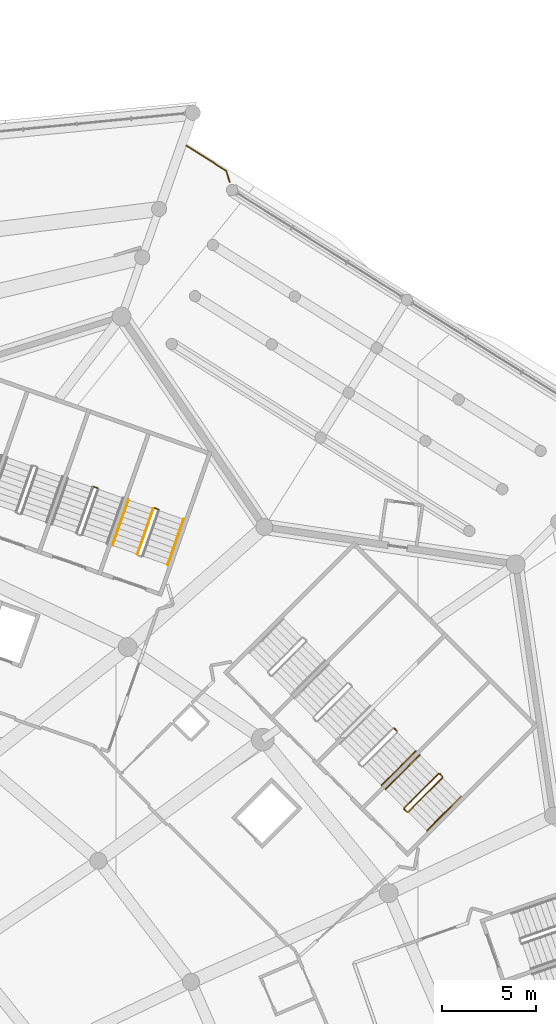
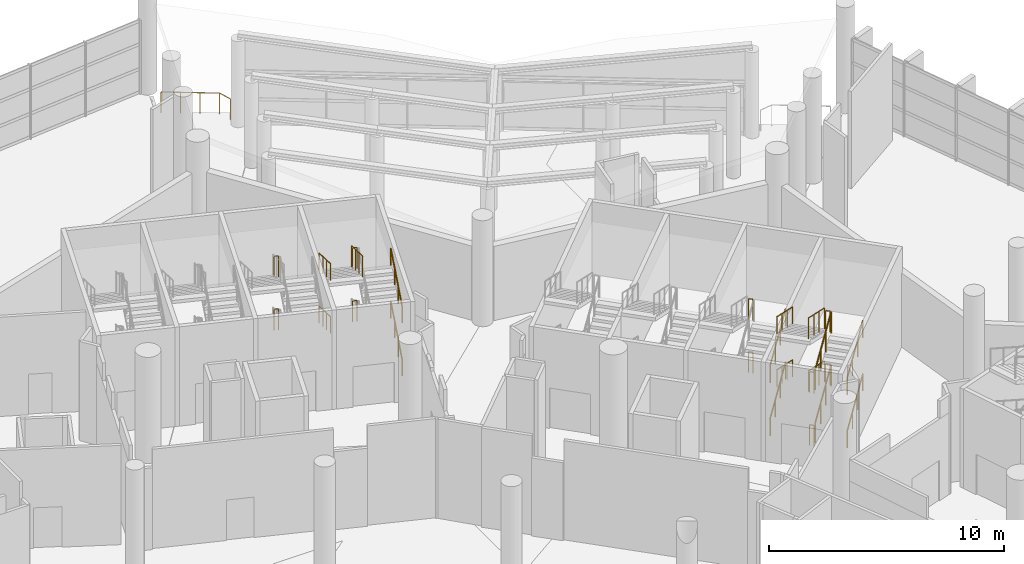
# One storey, part 270 of 271: 26 railings.
"""IFC4 building model written with IfcOpenShell, lengths in metres."""

from ifc_helpers import new_model, si_unit, direction, frame, origin, origin_2d, place, context, subcontext, project, spatial, circle, extrude, material, type_object, element, save


model = new_model("IFC4")

# Units and contexts
model_context = context("Model", 3, precision=1e-05, world=origin(), true_north=direction((0.0, 1.0)))
body_context = subcontext(model_context, "Body", "Model", "MODEL_VIEW")
ifc_project = project(units=[si_unit("LENGTHUNIT", "METRE"), si_unit("AREAUNIT", "SQUARE_METRE"), si_unit("VOLUMEUNIT", "CUBIC_METRE"), si_unit("PLANEANGLEUNIT", "RADIAN"), si_unit("MASSUNIT", "GRAM", prefix="KILO")], contexts=[model_context])

# Site, building, storey
site_placement = place(None, origin())
site = spatial("IfcSite", under=ifc_project, at=site_placement, CompositionType="ELEMENT")
building_placement = place(site_placement, origin())
building = spatial("IfcBuilding", under=site, at=building_placement, Name="Meseta Stadium", CompositionType="ELEMENT")
storey_placement = place(building_placement, frame((0.0, 0.0, 6.5)))
storey = spatial("IfcBuildingStorey", under=building, at=storey_placement, Name="L01", CompositionType="ELEMENT", Elevation=6.5)

# Railings
ifc_material_1 = material(Name="Steel S355", Category="steel")
railing_type_1 = type_object("IfcRailingType", Name="Plate edge guard 1100", PredefinedType="GUARDRAIL", material=ifc_material_1)
railing_1_placement = place(storey_placement, frame((67.729248046875, 111.341552734375, 0.0)))
element("IfcRailing", 1, at=railing_1_placement, inside=storey, type_object=railing_type_1, Name="Gate hall edge guard 13", PredefinedType="GUARDRAIL", context=body_context, shape_type="SweptSolid", body=[
    extrude(circle(Radius=0.02490234375, at=origin_2d()), frame((0.0, 0.0, 1.0751953125), z_axis=(0.846753668308, -0.531985173861, 0.0), x_axis=(0.531985173861, 0.846753668308, 0.0)), (0.0, 0.0, 1.0), 2.4951171875),
    extrude(circle(Radius=0.02490234375, at=origin_2d()), frame((2.11279296875, -1.327392578125, 1.0751953125), z_axis=(0.292228554876, -0.956348509548, 0.0), x_axis=(0.956348509548, 0.292228554876, 0.0)), (0.0, 0.0, 1.0), 0.619140625),
    extrude(circle(Radius=0.02001953125, at=origin_2d()), origin(), (0.0, 0.0, 1.0), 1.050048828125),
    extrude(circle(Radius=0.02001953125, at=origin_2d()), frame((0.704345703125, -0.4423828125, 0.0)), (0.0, 0.0, 1.0), 1.050048828125),
    extrude(circle(Radius=0.02001953125, at=origin_2d()), frame((1.408447265625, -0.885009765625, 0.0)), (0.0, 0.0, 1.0), 1.050048828125),
    extrude(circle(Radius=0.02001953125, at=origin_2d()), frame((2.11279296875, -1.327392578125, 0.0)), (0.0, 0.0, 1.0), 1.050048828125),
    extrude(circle(Radius=0.02001953125, at=origin_2d()), frame((2.293701171875, -1.91943359375, 0.0)), (0.0, 0.0, 1.0), 1.050048828125),
])
ifc_material_2 = material(Name="Steel S355", Category="steel")
railing_type_2 = type_object("IfcRailingType", Name="Stair guard 1100", PredefinedType="GUARDRAIL", material=ifc_material_2)
railing_2_placement = place(storey_placement, frame((79.4814453125, 76.056884765625, 0.15283203125)))
element("IfcRailing", 2, at=railing_2_placement, inside=storey, type_object=railing_type_2, Name="ST25 L01 guard 1", PredefinedType="GUARDRAIL", context=body_context, shape_type="SweptSolid", body=[
    extrude(circle(Radius=0.02392578125, at=origin_2d()), frame((0.0, 0.0, 1.076171875), z_axis=(0.638123721051, 0.638123721051, 0.43080881289), x_axis=(-0.707106781187, 0.707106781187, 0.0)), (0.0, 0.0, 1.0), 2.8369140625),
    extrude(circle(Radius=0.02099609375, at=origin_2d()), origin(), (0.0, 0.0, 1.0), 1.052001953125),
    extrude(circle(Radius=0.02099609375, at=origin_2d()), frame((0.603515625, 0.603515625, 0.407470703125)), (0.0, 0.0, 1.0), 1.052001953125),
    extrude(circle(Radius=0.02099609375, at=origin_2d()), frame((1.206787109375, 1.206787109375, 0.814697265625)), (0.0, 0.0, 1.0), 1.052001953125),
    extrude(circle(Radius=0.02099609375, at=origin_2d()), frame((1.810302734375, 1.810302734375, 1.22216796875)), (0.0, 0.0, 1.0), 1.052001953125),
])
railing_3_placement = place(storey_placement, frame((81.291748046875, 77.937744140625, 1.375)))
element("IfcRailing", 3, at=railing_3_placement, inside=storey, type_object=railing_type_2, Name="ST25 L01 guard 2", PredefinedType="GUARDRAIL", context=body_context, shape_type="SweptSolid", body=[
    extrude(circle(Radius=0.02392578125, at=origin_2d()), frame((0.0, 0.0, 1.076171875), z_axis=(-0.707106781187, 0.707106781187, 0.0), x_axis=(-0.707106781187, -0.707106781187, 0.0)), (0.0, 0.0, 1.0), 0.199951171875),
    extrude(circle(Radius=0.02099609375, at=origin_2d()), origin(), (0.0, 0.0, 1.0), 1.052001953125),
    extrude(circle(Radius=0.02099609375, at=origin_2d()), frame((-0.141357421875, 0.141357421875, 0.0)), (0.0, 0.0, 1.0), 1.052001953125),
])
railing_4_placement = place(storey_placement, frame((81.07958984375, 78.0791015625, 1.52783203125)))
element("IfcRailing", 4, at=railing_4_placement, inside=storey, type_object=railing_type_2, Name="ST25 L01 guard 3", PredefinedType="GUARDRAIL", context=body_context, shape_type="SweptSolid", body=[
    extrude(circle(Radius=0.02392578125, at=origin_2d()), frame((0.0, 0.0, 1.076171875), z_axis=(-0.638158764755, -0.638072701536, 0.430832471526), x_axis=(0.707059095529, -0.707154463629, 0.0)), (0.0, 0.0, 1.0), 2.836669921875),
    extrude(circle(Radius=0.02099609375, at=origin_2d()), origin(), (0.0, 0.0, 1.0), 1.052001953125),
    extrude(circle(Radius=0.02099609375, at=origin_2d()), frame((-0.603515625, -0.603271484375, 0.407470703125)), (0.0, 0.0, 1.0), 1.052001953125),
    extrude(circle(Radius=0.02099609375, at=origin_2d()), frame((-1.206787109375, -1.206787109375, 0.814697265625)), (0.0, 0.0, 1.0), 1.052001953125),
    extrude(circle(Radius=0.02099609375, at=origin_2d()), frame((-1.810302734375, -1.81005859375, 1.22216796875)), (0.0, 0.0, 1.0), 1.052001953125),
])
railing_5_placement = place(storey_placement, frame((79.410888671875, 76.056884765625, 2.75)))
element("IfcRailing", 5, at=railing_5_placement, inside=storey, type_object=railing_type_2, Name="ST25 L01 guard 4", PredefinedType="GUARDRAIL", context=body_context, shape_type="SweptSolid", body=[
    extrude(circle(Radius=0.02392578125, at=origin_2d()), frame((0.0, 0.0, 1.076171875), z_axis=(-0.707716618519, 0.706496417452, 0.0), x_axis=(-0.706496417452, -0.707716618519, 0.0)), (0.0, 0.0, 1.0), 0.2001953125),
    extrude(circle(Radius=0.02099609375, at=origin_2d()), origin(), (0.0, 0.0, 1.0), 1.052001953125),
    extrude(circle(Radius=0.02099609375, at=origin_2d()), frame((-0.1416015625, 0.141357421875, 0.0)), (0.0, 0.0, 1.0), 1.052001953125),
])
railing_6_placement = place(storey_placement, frame((79.4814453125, 76.056884765625, 2.90283203125)))
element("IfcRailing", 6, at=railing_6_placement, inside=storey, type_object=railing_type_2, Name="ST25 L01 guard 5", PredefinedType="GUARDRAIL", context=body_context, shape_type="SweptSolid", body=[
    extrude(circle(Radius=0.02392578125, at=origin_2d()), frame((0.0, 0.0, 1.076171875), z_axis=(0.638123721051, 0.638123721051, 0.43080881289), x_axis=(-0.707106781187, 0.707106781187, 0.0)), (0.0, 0.0, 1.0), 2.8369140625),
    extrude(circle(Radius=0.02099609375, at=origin_2d()), origin(), (0.0, 0.0, 1.0), 1.052001953125),
    extrude(circle(Radius=0.02099609375, at=origin_2d()), frame((0.603515625, 0.603515625, 0.407470703125)), (0.0, 0.0, 1.0), 1.052001953125),
    extrude(circle(Radius=0.02099609375, at=origin_2d()), frame((1.206787109375, 1.206787109375, 0.814697265625)), (0.0, 0.0, 1.0), 1.052001953125),
    extrude(circle(Radius=0.02099609375, at=origin_2d()), frame((1.810302734375, 1.810302734375, 1.22216796875)), (0.0, 0.0, 1.0), 1.052001953125),
])
railing_7_placement = place(storey_placement, frame((81.291748046875, 77.937744140625, 4.125)))
element("IfcRailing", 7, at=railing_7_placement, inside=storey, type_object=railing_type_2, Name="ST25 L01 guard 6", PredefinedType="GUARDRAIL", context=body_context, shape_type="SweptSolid", body=[
    extrude(circle(Radius=0.02392578125, at=origin_2d()), frame((0.0, 0.0, 1.076171875), z_axis=(-0.707106781187, 0.707106781187, 0.0), x_axis=(-0.707106781187, -0.707106781187, 0.0)), (0.0, 0.0, 1.0), 0.199951171875),
    extrude(circle(Radius=0.02099609375, at=origin_2d()), origin(), (0.0, 0.0, 1.0), 1.052001953125),
    extrude(circle(Radius=0.02099609375, at=origin_2d()), frame((-0.141357421875, 0.141357421875, 0.0)), (0.0, 0.0, 1.0), 1.052001953125),
])
railing_8_placement = place(storey_placement, frame((81.07958984375, 78.0791015625, 4.27783203125)))
element("IfcRailing", 8, at=railing_8_placement, inside=storey, type_object=railing_type_2, Name="ST25 L01 guard 7", PredefinedType="GUARDRAIL", context=body_context, shape_type="SweptSolid", body=[
    extrude(circle(Radius=0.02392578125, at=origin_2d()), frame((0.0, 0.0, 1.076171875), z_axis=(-0.638158764755, -0.638072701536, 0.430832471526), x_axis=(0.707059095529, -0.707154463629, 0.0)), (0.0, 0.0, 1.0), 2.836669921875),
    extrude(circle(Radius=0.02099609375, at=origin_2d()), origin(), (0.0, 0.0, 1.0), 1.052001953125),
    extrude(circle(Radius=0.02099609375, at=origin_2d()), frame((-0.603515625, -0.603271484375, 0.407470703125)), (0.0, 0.0, 1.0), 1.052001953125),
    extrude(circle(Radius=0.02099609375, at=origin_2d()), frame((-1.206787109375, -1.206787109375, 0.814697265625)), (0.0, 0.0, 1.0), 1.052001953125),
    extrude(circle(Radius=0.02099609375, at=origin_2d()), frame((-1.810302734375, -1.81005859375, 1.22216796875)), (0.0, 0.0, 1.0), 1.052001953125),
])
railing_9_placement = place(storey_placement, frame((79.410888671875, 76.056884765625, 0.0)))
element("IfcRailing", 9, at=railing_9_placement, inside=storey, type_object=railing_type_2, Name="ST25 L01 guard 8", PredefinedType="GUARDRAIL", context=body_context, shape_type="SweptSolid", body=[
    extrude(circle(Radius=0.02392578125, at=origin_2d()), frame((0.0, 0.0, 1.076171875), z_axis=(-0.707716618519, 0.706496417452, 0.0), x_axis=(-0.706496417452, -0.707716618519, 0.0)), (0.0, 0.0, 1.0), 0.2001953125),
    extrude(circle(Radius=0.02099609375, at=origin_2d()), origin(), (0.0, 0.0, 1.0), 1.052001953125),
    extrude(circle(Radius=0.02099609375, at=origin_2d()), frame((-0.1416015625, 0.141357421875, 0.0)), (0.0, 0.0, 1.0), 1.052001953125),
])
for number, where, name in (
    (10, (78.887451171875, 80.342041015625, 1.375), "ST26 L01 guard 2"),
    (11, (78.887451171875, 80.342041015625, 4.125), "ST26 L01 guard 6"),
):
    element("IfcRailing", number, at=place(storey_placement, frame(where)), inside=storey, type_object=railing_type_2, Name=name, PredefinedType="GUARDRAIL", context=body_context, shape_type="SweptSolid", body=[
        extrude(circle(Radius=0.02392578125, at=origin_2d()), frame((0.0, 0.0, 1.076171875), z_axis=(-0.707106781187, 0.707106781187, 0.0), x_axis=(-0.707106781187, -0.707106781187, 0.0)), (0.0, 0.0, 1.0), 0.199951171875),
        extrude(circle(Radius=0.02099609375, at=origin_2d()), origin(), (0.0, 0.0, 1.0), 1.052001953125),
        extrude(circle(Radius=0.02099609375, at=origin_2d()), frame((-0.141357421875, 0.141357421875, 0.0)), (0.0, 0.0, 1.0), 1.052001953125),
    ])
for number, where, name in (
    (12, (66.236328125, 92.088134765625, 1.375), "ST29 L01 guard 2"),
    (13, (66.236328125, 92.088134765625, 4.125), "ST29 L01 guard 6"),
):
    element("IfcRailing", number, at=place(storey_placement, frame(where)), inside=storey, type_object=railing_type_2, Name=name, PredefinedType="GUARDRAIL", context=body_context, shape_type="SweptSolid", body=[
        extrude(circle(Radius=0.02392578125, at=origin_2d()), frame((0.0, 0.0, 1.076171875), z_axis=(-0.943686935281, 0.330839792317, 0.0), x_axis=(-0.330839792317, -0.943686935281, 0.0)), (0.0, 0.0, 1.0), 0.199951171875),
        extrude(circle(Radius=0.02099609375, at=origin_2d()), origin(), (0.0, 0.0, 1.0), 1.052001953125),
        extrude(circle(Radius=0.02099609375, at=origin_2d()), frame((-0.188720703125, 0.066162109375, 0.0)), (0.0, 0.0, 1.0), 1.052001953125),
    ])
railing_10_placement = place(storey_placement, frame((65.98388671875, 92.12353515625, 4.27783203125)))
element("IfcRailing", 14, at=railing_10_placement, inside=storey, type_object=railing_type_2, Name="ST29 L01 guard 7", PredefinedType="GUARDRAIL", context=body_context, shape_type="SweptSolid", body=[
    extrude(circle(Radius=0.02392578125, at=origin_2d()), frame((0.0, 0.0, 1.076171875), z_axis=(-0.298044258026, -0.851788628844, 0.430843071233), x_axis=(0.943886603116, -0.330269708658, 0.0)), (0.0, 0.0, 1.0), 2.836669921875),
    extrude(circle(Radius=0.02099609375, at=origin_2d()), origin(), (0.0, 0.0, 1.0), 1.052001953125),
    extrude(circle(Radius=0.02099609375, at=origin_2d()), frame((-0.28173828125, -0.805419921875, 0.407470703125)), (0.0, 0.0, 1.0), 1.052001953125),
    extrude(circle(Radius=0.02099609375, at=origin_2d()), frame((-0.563720703125, -1.61083984375, 0.814697265625)), (0.0, 0.0, 1.0), 1.052001953125),
    extrude(circle(Radius=0.02099609375, at=origin_2d()), frame((-0.845458984375, -2.416259765625, 1.22216796875)), (0.0, 0.0, 1.0), 1.052001953125),
])
for number, where, name in (
    (15, (63.02734375, 93.211181640625, 1.375), "ST30 L01 guard 2"),
    (16, (63.02734375, 93.211181640625, 4.125), "ST30 L01 guard 6"),
):
    element("IfcRailing", number, at=place(storey_placement, frame(where)), inside=storey, type_object=railing_type_2, Name=name, PredefinedType="GUARDRAIL", context=body_context, shape_type="SweptSolid", body=[
        extrude(circle(Radius=0.02392578125, at=origin_2d()), frame((0.0, 0.0, 1.076171875), z_axis=(-0.944200181446, 0.329372156318, 0.0), x_axis=(-0.329372156318, -0.944200181446, 0.0)), (0.0, 0.0, 1.0), 0.2001953125),
        extrude(circle(Radius=0.02099609375, at=origin_2d()), origin(), (0.0, 0.0, 1.0), 1.052001953125),
        extrude(circle(Radius=0.02099609375, at=origin_2d()), frame((-0.18896484375, 0.06591796875, 0.0)), (0.0, 0.0, 1.0), 1.052001953125),
    ])
ifc_material_3 = material(Name="Steel S355", Category="steel")
railing_type_3 = type_object("IfcRailingType", Name="Stair handrail 900", PredefinedType="HANDRAIL", material=ifc_material_3)
railing_11_placement = place(storey_placement, frame((80.471435546875, 75.06689453125, 0.15283203125)))
element("IfcRailing", 17, at=railing_11_placement, inside=storey, type_object=railing_type_3, Name="ST25 L01 handrail 1", PredefinedType="HANDRAIL", context=body_context, shape_type="SweptSolid", body=[
    extrude(circle(Radius=0.02392578125, at=origin_2d()), frame((0.0, 0.0, 0.8759765625), z_axis=(0.638123721051, 0.638123721051, 0.43080881289), x_axis=(-0.707106781187, 0.707106781187, 0.0)), (0.0, 0.0, 1.0), 2.8369140625),
    extrude(circle(Radius=0.02099609375, at=origin_2d()), origin(), (0.0, 0.0, 1.0), 0.851806640625),
    extrude(circle(Radius=0.02099609375, at=origin_2d()), frame((0.603515625, 0.603515625, 0.407470703125)), (0.0, 0.0, 1.0), 0.851806640625),
    extrude(circle(Radius=0.02099609375, at=origin_2d()), frame((1.206787109375, 1.206787109375, 0.814697265625)), (0.0, 0.0, 1.0), 0.851806640625),
    extrude(circle(Radius=0.02099609375, at=origin_2d()), frame((1.810302734375, 1.810302734375, 1.22216796875)), (0.0, 0.0, 1.0), 0.851806640625),
])
railing_12_placement = place(storey_placement, frame((80.089599609375, 79.069091796875, 1.52783203125)))
element("IfcRailing", 18, at=railing_12_placement, inside=storey, type_object=railing_type_3, Name="ST25 L01 handrail 2", PredefinedType="HANDRAIL", context=body_context, shape_type="SweptSolid", body=[
    extrude(circle(Radius=0.02392578125, at=origin_2d()), frame((0.0, 0.0, 0.8759765625), z_axis=(-0.638107746287, -0.638107746287, 0.430856134059), x_axis=(0.707106781187, -0.707106781187, 0.0)), (0.0, 0.0, 1.0), 2.836669921875),
    extrude(circle(Radius=0.02099609375, at=origin_2d()), origin(), (0.0, 0.0, 1.0), 0.851806640625),
    extrude(circle(Radius=0.02099609375, at=origin_2d()), frame((-0.603271484375, -0.603271484375, 0.407470703125)), (0.0, 0.0, 1.0), 0.851806640625),
    extrude(circle(Radius=0.02099609375, at=origin_2d()), frame((-1.206787109375, -1.206787109375, 0.814697265625)), (0.0, 0.0, 1.0), 0.851806640625),
    extrude(circle(Radius=0.02099609375, at=origin_2d()), frame((-1.81005859375, -1.81005859375, 1.22216796875)), (0.0, 0.0, 1.0), 0.851806640625),
])
railing_13_placement = place(storey_placement, frame((80.471435546875, 75.06689453125, 2.90283203125)))
element("IfcRailing", 19, at=railing_13_placement, inside=storey, type_object=railing_type_3, Name="ST25 L01 handrail 3", PredefinedType="HANDRAIL", context=body_context, shape_type="SweptSolid", body=[
    extrude(circle(Radius=0.02392578125, at=origin_2d()), frame((0.0, 0.0, 0.8759765625), z_axis=(0.638123721051, 0.638123721051, 0.43080881289), x_axis=(-0.707106781187, 0.707106781187, 0.0)), (0.0, 0.0, 1.0), 2.8369140625),
    extrude(circle(Radius=0.02099609375, at=origin_2d()), origin(), (0.0, 0.0, 1.0), 0.851806640625),
    extrude(circle(Radius=0.02099609375, at=origin_2d()), frame((0.603515625, 0.603515625, 0.407470703125)), (0.0, 0.0, 1.0), 0.851806640625),
    extrude(circle(Radius=0.02099609375, at=origin_2d()), frame((1.206787109375, 1.206787109375, 0.814697265625)), (0.0, 0.0, 1.0), 0.851806640625),
    extrude(circle(Radius=0.02099609375, at=origin_2d()), frame((1.810302734375, 1.810302734375, 1.22216796875)), (0.0, 0.0, 1.0), 0.851806640625),
])
railing_14_placement = place(storey_placement, frame((80.089599609375, 79.069091796875, 4.27783203125)))
element("IfcRailing", 20, at=railing_14_placement, inside=storey, type_object=railing_type_3, Name="ST25 L01 handrail 4", PredefinedType="HANDRAIL", context=body_context, shape_type="SweptSolid", body=[
    extrude(circle(Radius=0.02392578125, at=origin_2d()), frame((0.0, 0.0, 0.8759765625), z_axis=(-0.638107746287, -0.638107746287, 0.430856134059), x_axis=(0.707106781187, -0.707106781187, 0.0)), (0.0, 0.0, 1.0), 2.836669921875),
    extrude(circle(Radius=0.02099609375, at=origin_2d()), origin(), (0.0, 0.0, 1.0), 0.851806640625),
    extrude(circle(Radius=0.02099609375, at=origin_2d()), frame((-0.603271484375, -0.603271484375, 0.407470703125)), (0.0, 0.0, 1.0), 0.851806640625),
    extrude(circle(Radius=0.02099609375, at=origin_2d()), frame((-1.206787109375, -1.206787109375, 0.814697265625)), (0.0, 0.0, 1.0), 0.851806640625),
    extrude(circle(Radius=0.02099609375, at=origin_2d()), frame((-1.81005859375, -1.81005859375, 1.22216796875)), (0.0, 0.0, 1.0), 0.851806640625),
])
for number, where, name in (
    (21, (78.0673828125, 77.47119140625, 0.15283203125), "ST26 L01 handrail 1"),
    (22, (78.0673828125, 77.47119140625, 2.90283203125), "ST26 L01 handrail 3"),
):
    element("IfcRailing", number, at=place(storey_placement, frame(where)), inside=storey, type_object=railing_type_3, Name=name, PredefinedType="HANDRAIL", context=body_context, shape_type="SweptSolid", body=[
        extrude(circle(Radius=0.02392578125, at=origin_2d()), frame((0.0, 0.0, 0.8759765625), z_axis=(0.638107746287, 0.638107746287, 0.430856134059), x_axis=(-0.707106781187, 0.707106781187, 0.0)), (0.0, 0.0, 1.0), 2.836669921875),
        extrude(circle(Radius=0.02099609375, at=origin_2d()), origin(), (0.0, 0.0, 1.0), 0.851806640625),
        extrude(circle(Radius=0.02099609375, at=origin_2d()), frame((0.603271484375, 0.603271484375, 0.407470703125)), (0.0, 0.0, 1.0), 0.851806640625),
        extrude(circle(Radius=0.02099609375, at=origin_2d()), frame((1.206787109375, 1.206787109375, 0.814697265625)), (0.0, 0.0, 1.0), 0.851806640625),
        extrude(circle(Radius=0.02099609375, at=origin_2d()), frame((1.81005859375, 1.81005859375, 1.22216796875)), (0.0, 0.0, 1.0), 0.851806640625),
    ])
railing_15_placement = place(storey_placement, frame((66.7431640625, 89.145751953125, 0.15283203125)))
element("IfcRailing", 23, at=railing_15_placement, inside=storey, type_object=railing_type_3, Name="ST29 L01 handrail 1", PredefinedType="HANDRAIL", context=body_context, shape_type="SweptSolid", body=[
    extrude(circle(Radius=0.02392578125, at=origin_2d()), frame((0.0, 0.0, 0.8759765625), z_axis=(0.298044258026, 0.851788628844, 0.430843071233), x_axis=(-0.943886603116, 0.330269708658, 0.0)), (0.0, 0.0, 1.0), 2.836669921875),
    extrude(circle(Radius=0.02099609375, at=origin_2d()), origin(), (0.0, 0.0, 1.0), 0.851806640625),
    extrude(circle(Radius=0.02099609375, at=origin_2d()), frame((0.28173828125, 0.805419921875, 0.407470703125)), (0.0, 0.0, 1.0), 0.851806640625),
    extrude(circle(Radius=0.02099609375, at=origin_2d()), frame((0.563720703125, 1.61083984375, 0.814697265625)), (0.0, 0.0, 1.0), 0.851806640625),
    extrude(circle(Radius=0.02099609375, at=origin_2d()), frame((0.845458984375, 2.416259765625, 1.22216796875)), (0.0, 0.0, 1.0), 0.851806640625),
])
railing_16_placement = place(storey_placement, frame((64.66259765625, 92.5859375, 1.52783203125)))
element("IfcRailing", 24, at=railing_16_placement, inside=storey, type_object=railing_type_3, Name="ST29 L01 handrail 2", PredefinedType="HANDRAIL", context=body_context, shape_type="SweptSolid", body=[
    extrude(circle(Radius=0.02392578125, at=origin_2d()), frame((0.0, 0.0, 0.8759765625), z_axis=(-0.298122675128, -0.851766777062, 0.430832018387), x_axis=(0.943856869551, -0.330354672742, 0.0)), (0.0, 0.0, 1.0), 2.836669921875),
    extrude(circle(Radius=0.02099609375, at=origin_2d()), origin(), (0.0, 0.0, 1.0), 0.851806640625),
    extrude(circle(Radius=0.02099609375, at=origin_2d()), frame((-0.281982421875, -0.805419921875, 0.407470703125)), (0.0, 0.0, 1.0), 0.851806640625),
    extrude(circle(Radius=0.02099609375, at=origin_2d()), frame((-0.563720703125, -1.61083984375, 0.814697265625)), (0.0, 0.0, 1.0), 0.851806640625),
    extrude(circle(Radius=0.02099609375, at=origin_2d()), frame((-0.845703125, -2.416259765625, 1.22216796875)), (0.0, 0.0, 1.0), 0.851806640625),
])
railing_17_placement = place(storey_placement, frame((66.7431640625, 89.145751953125, 2.90283203125)))
element("IfcRailing", 25, at=railing_17_placement, inside=storey, type_object=railing_type_3, Name="ST29 L01 handrail 3", PredefinedType="HANDRAIL", context=body_context, shape_type="SweptSolid", body=[
    extrude(circle(Radius=0.02392578125, at=origin_2d()), frame((0.0, 0.0, 0.8759765625), z_axis=(0.298044258026, 0.851788628844, 0.430843071233), x_axis=(-0.943886603116, 0.330269708658, 0.0)), (0.0, 0.0, 1.0), 2.836669921875),
    extrude(circle(Radius=0.02099609375, at=origin_2d()), origin(), (0.0, 0.0, 1.0), 0.851806640625),
    extrude(circle(Radius=0.02099609375, at=origin_2d()), frame((0.28173828125, 0.805419921875, 0.407470703125)), (0.0, 0.0, 1.0), 0.851806640625),
    extrude(circle(Radius=0.02099609375, at=origin_2d()), frame((0.563720703125, 1.61083984375, 0.814697265625)), (0.0, 0.0, 1.0), 0.851806640625),
    extrude(circle(Radius=0.02099609375, at=origin_2d()), frame((0.845458984375, 2.416259765625, 1.22216796875)), (0.0, 0.0, 1.0), 0.851806640625),
])
railing_18_placement = place(storey_placement, frame((64.66259765625, 92.5859375, 4.27783203125)))
element("IfcRailing", 26, at=railing_18_placement, inside=storey, type_object=railing_type_3, Name="ST29 L01 handrail 4", PredefinedType="HANDRAIL", context=body_context, shape_type="SweptSolid", body=[
    extrude(circle(Radius=0.02392578125, at=origin_2d()), frame((0.0, 0.0, 0.8759765625), z_axis=(-0.298122675128, -0.851766777062, 0.430832018387), x_axis=(0.943856869551, -0.330354672742, 0.0)), (0.0, 0.0, 1.0), 2.836669921875),
    extrude(circle(Radius=0.02099609375, at=origin_2d()), origin(), (0.0, 0.0, 1.0), 0.851806640625),
    extrude(circle(Radius=0.02099609375, at=origin_2d()), frame((-0.281982421875, -0.805419921875, 0.407470703125)), (0.0, 0.0, 1.0), 0.851806640625),
    extrude(circle(Radius=0.02099609375, at=origin_2d()), frame((-0.563720703125, -1.61083984375, 0.814697265625)), (0.0, 0.0, 1.0), 0.851806640625),
    extrude(circle(Radius=0.02099609375, at=origin_2d()), frame((-0.845703125, -2.416259765625, 1.22216796875)), (0.0, 0.0, 1.0), 0.851806640625),
])

save(model, "model.ifc")
